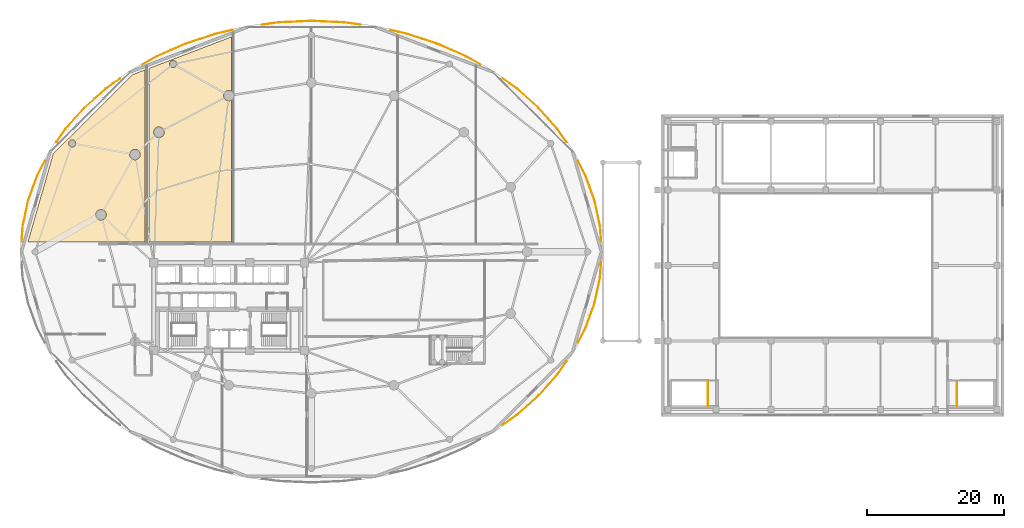
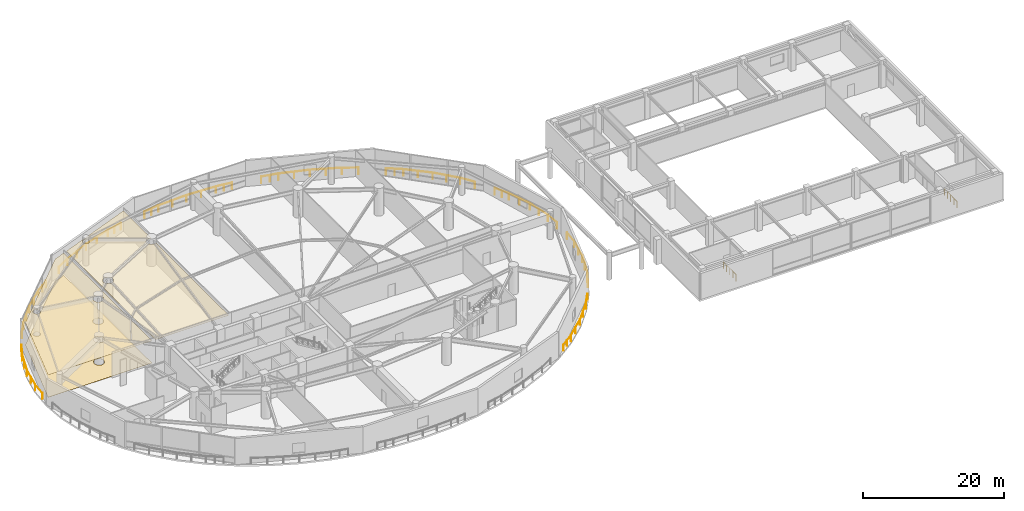
# One storey, part 36 of 36: 11 railings, 3 coverings.
"""IFC4 building model written with IfcOpenShell, lengths in metres."""

from ifc_helpers import new_model, si_unit, direction, frame, origin, origin_2d, place, context, subcontext, project, spatial, polyline, rectangle, outline, extrude, material, layer, layer_set, type_object, element, save


model = new_model("IFC4")

# Units and contexts
model_context = context("Model", 3, precision=1e-05, world=origin(), true_north=direction((0.0, 1.0)))
body_context = subcontext(model_context, "Body", "Model", "MODEL_VIEW")
ifc_project = project(units=[si_unit("LENGTHUNIT", "METRE"), si_unit("AREAUNIT", "SQUARE_METRE"), si_unit("VOLUMEUNIT", "CUBIC_METRE"), si_unit("PLANEANGLEUNIT", "RADIAN"), si_unit("MASSUNIT", "GRAM", prefix="KILO")], contexts=[model_context])

# Site, building, storey
site_placement = place(None, origin())
site = spatial("IfcSite", under=ifc_project, at=site_placement, CompositionType="ELEMENT")
building_placement = place(site_placement, origin())
building = spatial("IfcBuilding", under=site, at=building_placement, Name="Kazevale Care Tower and Concert Hall", CompositionType="ELEMENT")
storey_placement = place(building_placement, frame((0.0, 0.0, 14.39990234375)))
storey = spatial("IfcBuildingStorey", under=building, at=storey_placement, Name="L03", CompositionType="ELEMENT", Elevation=14.39990234375)

# Coverings
ifc_material_1 = material(Name="Acoustic Plaster and Hinoki Wood", Category="wood")
ifc_layer_1 = layer(ifc_material_1, 0.0400390625)
ifc_layer_set_1 = layer_set([ifc_layer_1], Name="Acoustic Plaster and Hinoki Wood")
covering_type_1 = type_object("IfcCoveringType", Name="Acoustic Perforated Wood-Gypsum Ceiling", PredefinedType="CEILING", material=ifc_layer_set_1)
covering_1_placement = place(storey_placement, frame((0.0, 0.0, 3.8701171875)))
element("IfcCovering", 1, at=covering_1_placement, inside=storey, type_object=covering_type_1, Name="clg:L03:1", PredefinedType="CEILING", context=body_context, shape_type="SweptSolid", body=[
    extrude(outline(polyline([(3.64404296875, 39.405029296875), (7.35205078125, 52.306884765625), (18.9169921875, 63.824951171875), (20.719970703125, 64.514892578125), (20.719970703125, 39.405029296875), (3.64404296875, 39.405029296875)]), holes=[polyline([(19.9189453125, 52.613037109375), (19.702880859375, 52.8291015625), (19.422119140625, 52.945068359375), (19.117919921875, 52.945068359375), (18.8369140625, 52.8291015625), (18.62109375, 52.613037109375), (18.5048828125, 52.33203125), (18.5048828125, 52.028076171875), (18.62109375, 51.7470703125), (18.8369140625, 51.531005859375), (19.117919921875, 51.4150390625), (19.422119140625, 51.4150390625), (19.702880859375, 51.531005859375), (19.9189453125, 51.7470703125), (20.034912109375, 52.028076171875), (20.034912109375, 52.33203125), (19.9189453125, 52.613037109375)]), polyline([(15.031005859375, 43.677978515625), (14.862060546875, 43.931884765625), (14.60791015625, 44.10107421875), (14.31005859375, 44.159912109375), (14.011962890625, 44.10107421875), (13.758056640625, 43.931884765625), (13.589111328125, 43.677978515625), (13.530029296875, 43.3798828125), (13.589111328125, 43.08203125), (13.758056640625, 42.827880859375), (14.011962890625, 42.658935546875), (14.31005859375, 42.60009765625), (14.60791015625, 42.658935546875), (14.862060546875, 42.827880859375), (15.031005859375, 43.08203125), (15.090087890625, 43.3798828125), (15.031005859375, 43.677978515625)]), polyline([(10.6201171875, 53.903076171875), (10.541015625, 54.093994140625), (10.39404296875, 54.240966796875), (10.202880859375, 54.320068359375), (9.9970703125, 54.320068359375), (9.805908203125, 54.240966796875), (9.658935546875, 54.093994140625), (9.580078125, 53.903076171875), (9.580078125, 53.697021484375), (9.658935546875, 53.506103515625), (9.805908203125, 53.35888671875), (9.9970703125, 53.280029296875), (10.202880859375, 53.280029296875), (10.39404296875, 53.35888671875), (10.541015625, 53.506103515625), (10.6201171875, 53.697021484375), (10.6201171875, 53.903076171875)])]), origin(), (0.0, 0.0, 1.0), 0.0400390625),
])
covering_2_placement = place(storey_placement, frame((0.0, 0.0, 3.8701171875)))
element("IfcCovering", 2, at=covering_2_placement, inside=storey, type_object=covering_type_1, Name="clg:L03:2", PredefinedType="CEILING", context=body_context, shape_type="SweptSolid", body=[
    extrude(outline(polyline([(33.320068359375, 61.4580078125), (32.9599609375, 61.550048828125), (32.527099609375, 61.4189453125), (32.239013671875, 61.068115234375), (32.179931640625, 60.77001953125), (32.239013671875, 60.471923828125), (32.527099609375, 60.12109375), (32.9599609375, 59.989990234375), (33.320068359375, 60.08203125), (33.320068359375, 39.405029296875), (21.280029296875, 39.405029296875), (21.280029296875, 64.72900390625), (33.320068359375, 69.333984375), (33.320068359375, 61.4580078125)]), holes=[polyline([(23.48095703125, 55.72802734375), (23.31201171875, 55.98193359375), (23.05810546875, 56.15087890625), (22.760009765625, 56.2099609375), (22.4619140625, 56.15087890625), (22.2080078125, 55.98193359375), (22.0390625, 55.72802734375), (21.97998046875, 55.429931640625), (22.0390625, 55.132080078125), (22.2080078125, 54.8779296875), (22.4619140625, 54.708984375), (22.760009765625, 54.64990234375), (23.05810546875, 54.708984375), (23.31201171875, 54.8779296875), (23.48095703125, 55.132080078125), (23.5400390625, 55.429931640625), (23.48095703125, 55.72802734375)]), polyline([(25.3701171875, 65.472900390625), (25.291015625, 65.6640625), (25.14404296875, 65.81103515625), (24.952880859375, 65.889892578125), (24.7470703125, 65.889892578125), (24.555908203125, 65.81103515625), (24.408935546875, 65.6640625), (24.330078125, 65.472900390625), (24.330078125, 65.26708984375), (24.408935546875, 65.075927734375), (24.555908203125, 64.928955078125), (24.7470703125, 64.85009765625), (24.952880859375, 64.85009765625), (25.14404296875, 64.928955078125), (25.291015625, 65.075927734375), (25.3701171875, 65.26708984375), (25.3701171875, 65.472900390625)])]), origin(), (0.0, 0.0, 1.0), 0.0400390625),
])

# Railings
ifc_material_2 = material(Name="Anodised Bronze Aluminium and Laminated Glass", Category="aluminium")
railing_type_1 = type_object("IfcRailingType", Name="Balcony and Terrace Balustrade 1120", PredefinedType="BALUSTRADE", material=ifc_material_2)
railing_1_placement = place(storey_placement, frame((2.742919921875, 39.4560546875, 0.0)))
element("IfcRailing", 3, at=railing_1_placement, inside=storey, type_object=railing_type_1, Name="rail:L03:perim:2", PredefinedType="BALUSTRADE", context=body_context, shape_type="SweptSolid", body=[
    extrude(rectangle(XDim=0.048095703125, YDim=0.048095703125, at=origin_2d()), frame((0.0, 0.0, 1.09619140625), z_axis=(0.070459951237, 0.997514609052, 0.0), x_axis=(-0.997514609052, 0.070459951237, 0.0)), (0.0, 0.0, 1.0), 2.314697265625),
    extrude(rectangle(XDim=0.048095703125, YDim=0.048095703125, at=origin_2d()), frame((0.1630859375, 2.308837890625, 1.09619140625), z_axis=(0.20907738305, 0.977899099037, 0.0), x_axis=(-0.977899099037, 0.20907738305, 0.0)), (0.0, 0.0, 1.0), 3.802001953125),
    extrude(rectangle(XDim=0.048095703125, YDim=0.048095703125, at=origin_2d()), frame((0.9580078125, 6.02685546875, 1.09619140625), z_axis=(0.340410185576, 0.940277036599, 0.0), x_axis=(-0.940277036599, 0.340410185576, 0.0)), (0.0, 0.0, 1.0), 3.854248046875),
    extrude(rectangle(XDim=0.048095703125, YDim=0.048095703125, at=origin_2d()), frame((2.27001953125, 9.65087890625, 1.09619140625), z_axis=(0.462140207553, 0.88680687219, 0.0), x_axis=(-0.88680687219, 0.462140207553, 0.0)), (0.0, 0.0, 1.0), 2.43017578125),
    extrude(rectangle(XDim=0.0419921875, YDim=0.0419921875, at=origin_2d()), origin(), (0.0, 0.0, 1.0), 1.072021484375),
    extrude(rectangle(XDim=0.0419921875, YDim=0.0419921875, at=origin_2d()), frame((0.1630859375, 2.308837890625, 0.0)), (0.0, 0.0, 1.0), 1.072021484375),
    extrude(rectangle(XDim=0.0419921875, YDim=0.0419921875, at=origin_2d()), frame((0.560546875, 4.16796875, 0.0)), (0.0, 0.0, 1.0), 1.072021484375),
    extrude(rectangle(XDim=0.0419921875, YDim=0.0419921875, at=origin_2d()), frame((0.9580078125, 6.02685546875, 0.0)), (0.0, 0.0, 1.0), 1.072021484375),
    extrude(rectangle(XDim=0.0419921875, YDim=0.0419921875, at=origin_2d()), frame((1.614013671875, 7.8388671875, 0.0)), (0.0, 0.0, 1.0), 1.072021484375),
    extrude(rectangle(XDim=0.0419921875, YDim=0.0419921875, at=origin_2d()), frame((2.27001953125, 9.65087890625, 0.0)), (0.0, 0.0, 1.0), 1.072021484375),
    extrude(rectangle(XDim=0.0419921875, YDim=0.0419921875, at=origin_2d()), frame((2.83154296875, 10.728515625, 0.0)), (0.0, 0.0, 1.0), 1.072021484375),
    extrude(rectangle(XDim=0.0419921875, YDim=0.0419921875, at=origin_2d()), frame((3.39306640625, 11.805908203125, 0.0)), (0.0, 0.0, 1.0), 1.072021484375),
])
railing_2_placement = place(storey_placement, frame((7.81201171875, 54.008056640625, 0.0)))
element("IfcRailing", 4, at=railing_2_placement, inside=storey, type_object=railing_type_1, Name="rail:L03:perim:3", PredefinedType="BALUSTRADE", context=body_context, shape_type="SweptSolid", body=[
    extrude(rectangle(XDim=0.048095703125, YDim=0.048095703125, at=origin_2d()), frame((0.0, 0.0, 1.09619140625), z_axis=(0.570672394322, 0.821177823835, 0.0), x_axis=(-0.821177823835, 0.570672394322, 0.0)), (0.0, 0.0, 1.0), 2.299072265625),
    extrude(rectangle(XDim=0.048095703125, YDim=0.048095703125, at=origin_2d()), frame((1.31201171875, 1.887939453125, 1.09619140625), z_axis=(0.665728837253, 0.746193751816, 0.0), x_axis=(-0.746193751816, 0.665728837253, 0.0)), (0.0, 0.0, 1.0), 4.12646484375),
    extrude(rectangle(XDim=0.048095703125, YDim=0.048095703125, at=origin_2d()), frame((4.05908203125, 4.967041015625, 1.09619140625), z_axis=(0.746983011463, 0.664843124794, 0.0), x_axis=(-0.664843124794, 0.746983011463, 0.0)), (0.0, 0.0, 1.0), 4.2353515625),
    extrude(rectangle(XDim=0.048095703125, YDim=0.048095703125, at=origin_2d()), frame((7.222900390625, 7.782958984375, 1.09619140625), z_axis=(0.815188786096, 0.579195340989, 0.0), x_axis=(-0.579195340989, 0.815188786096, 0.0)), (0.0, 0.0, 1.0), 2.53466796875),
    extrude(rectangle(XDim=0.0419921875, YDim=0.0419921875, at=origin_2d()), origin(), (0.0, 0.0, 1.0), 1.072021484375),
    extrude(rectangle(XDim=0.0419921875, YDim=0.0419921875, at=origin_2d()), frame((1.31201171875, 1.887939453125, 0.0)), (0.0, 0.0, 1.0), 1.072021484375),
    extrude(rectangle(XDim=0.0419921875, YDim=0.0419921875, at=origin_2d()), frame((2.685546875, 3.427490234375, 0.0)), (0.0, 0.0, 1.0), 1.072021484375),
    extrude(rectangle(XDim=0.0419921875, YDim=0.0419921875, at=origin_2d()), frame((4.05908203125, 4.967041015625, 0.0)), (0.0, 0.0, 1.0), 1.072021484375),
    extrude(rectangle(XDim=0.0419921875, YDim=0.0419921875, at=origin_2d()), frame((5.64111328125, 6.375, 0.0)), (0.0, 0.0, 1.0), 1.072021484375),
    extrude(rectangle(XDim=0.0419921875, YDim=0.0419921875, at=origin_2d()), frame((7.222900390625, 7.782958984375, 0.0)), (0.0, 0.0, 1.0), 1.072021484375),
    extrude(rectangle(XDim=0.0419921875, YDim=0.0419921875, at=origin_2d()), frame((8.255859375, 8.51708984375, 0.0)), (0.0, 0.0, 1.0), 1.072021484375),
    extrude(rectangle(XDim=0.0419921875, YDim=0.0419921875, at=origin_2d()), frame((9.2890625, 9.2509765625, 0.0)), (0.0, 0.0, 1.0), 1.072021484375),
])
railing_3_placement = place(storey_placement, frame((20.388916015625, 65.330078125, 0.0)))
element("IfcRailing", 5, at=railing_3_placement, inside=storey, type_object=railing_type_1, Name="rail:L03:perim:6", PredefinedType="BALUSTRADE", context=body_context, shape_type="SweptSolid", body=[
    extrude(rectangle(XDim=0.048095703125, YDim=0.048095703125, at=origin_2d()), frame((0.0, 0.0, 1.09619140625), z_axis=(0.870864175029, 0.491523741696, 0.0), x_axis=(-0.491523741696, 0.870864175029, 0.0)), (0.0, 0.0, 1.0), 2.36767578125),
    extrude(rectangle(XDim=0.048095703125, YDim=0.048095703125, at=origin_2d()), frame((2.06201171875, 1.163818359375, 1.09619140625), z_axis=(0.915470269762, 0.402385617514, 0.0), x_axis=(-0.402385617514, 0.915470269762, 0.0)), (0.0, 0.0, 1.0), 4.543212890625),
    extrude(rectangle(XDim=0.048095703125, YDim=0.048095703125, at=origin_2d()), frame((6.22119140625, 2.991943359375, 1.09619140625), z_axis=(0.949817857606, 0.312803512405, 0.0), x_axis=(-0.312803512405, 0.949817857606, 0.0)), (0.0, 0.0, 1.0), 4.622802734375),
    extrude(rectangle(XDim=0.048095703125, YDim=0.048095703125, at=origin_2d()), frame((10.612060546875, 4.43798828125, 1.09619140625), z_axis=(0.974740171393, 0.223341886518, 0.0), x_axis=(-0.223341886518, 0.974740171393, 0.0)), (0.0, 0.0, 1.0), 2.538330078125),
    extrude(rectangle(XDim=0.0419921875, YDim=0.0419921875, at=origin_2d()), origin(), (0.0, 0.0, 1.0), 1.072021484375),
    extrude(rectangle(XDim=0.0419921875, YDim=0.0419921875, at=origin_2d()), frame((2.06201171875, 1.163818359375, 0.0)), (0.0, 0.0, 1.0), 1.072021484375),
    extrude(rectangle(XDim=0.0419921875, YDim=0.0419921875, at=origin_2d()), frame((4.1416015625, 2.077880859375, 0.0)), (0.0, 0.0, 1.0), 1.072021484375),
    extrude(rectangle(XDim=0.0419921875, YDim=0.0419921875, at=origin_2d()), frame((6.22119140625, 2.991943359375, 0.0)), (0.0, 0.0, 1.0), 1.072021484375),
    extrude(rectangle(XDim=0.0419921875, YDim=0.0419921875, at=origin_2d()), frame((8.41650390625, 3.71484375, 0.0)), (0.0, 0.0, 1.0), 1.072021484375),
    extrude(rectangle(XDim=0.0419921875, YDim=0.0419921875, at=origin_2d()), frame((10.612060546875, 4.43798828125, 0.0)), (0.0, 0.0, 1.0), 1.072021484375),
    extrude(rectangle(XDim=0.0419921875, YDim=0.0419921875, at=origin_2d()), frame((11.84912109375, 4.721435546875, 0.0)), (0.0, 0.0, 1.0), 1.072021484375),
    extrude(rectangle(XDim=0.0419921875, YDim=0.0419921875, at=origin_2d()), frame((13.086181640625, 5.0048828125, 0.0)), (0.0, 0.0, 1.0), 1.072021484375),
])
railing_4_placement = place(storey_placement, frame((37.81201171875, 71.117919921875, 0.0)))
element("IfcRailing", 6, at=railing_4_placement, inside=storey, type_object=railing_type_1, Name="rail:L03:perim:7", PredefinedType="BALUSTRADE", context=body_context, shape_type="SweptSolid", body=[
    extrude(rectangle(XDim=0.048095703125, YDim=0.048095703125, at=origin_2d()), frame((0.0, 0.0, 1.09619140625), z_axis=(0.990987454457, 0.1339547129, 0.0), x_axis=(-0.1339547129, 0.990987454457, 0.0)), (0.0, 0.0, 1.0), 2.464111328125),
    extrude(rectangle(XDim=0.048095703125, YDim=0.048095703125, at=origin_2d()), frame((2.44189453125, 0.330078125, 1.09619140625), z_axis=(0.999004667567, 0.044605763963, 0.0), x_axis=(-0.044605763963, 0.999004667567, 0.0)), (0.0, 0.0, 1.0), 4.750732421875),
    extrude(rectangle(XDim=0.048095703125, YDim=0.048095703125, at=origin_2d()), frame((7.18798828125, 0.5419921875, 1.09619140625), z_axis=(0.999004667567, -0.044605763963, 0.0), x_axis=(0.044605763963, 0.999004667567, 0.0)), (0.0, 0.0, 1.0), 4.750732421875),
    extrude(rectangle(XDim=0.048095703125, YDim=0.048095703125, at=origin_2d()), frame((11.93408203125, 0.330078125, 1.09619140625), z_axis=(0.990987454457, -0.1339547129, 0.0), x_axis=(0.1339547129, 0.990987454457, 0.0)), (0.0, 0.0, 1.0), 2.464111328125),
    extrude(rectangle(XDim=0.0419921875, YDim=0.0419921875, at=origin_2d()), origin(), (0.0, 0.0, 1.0), 1.072021484375),
    extrude(rectangle(XDim=0.0419921875, YDim=0.0419921875, at=origin_2d()), frame((1.220947265625, 0.1650390625, 0.0)), (0.0, 0.0, 1.0), 1.072021484375),
    extrude(rectangle(XDim=0.0419921875, YDim=0.0419921875, at=origin_2d()), frame((2.44189453125, 0.330078125, 0.0)), (0.0, 0.0, 1.0), 1.072021484375),
    extrude(rectangle(XDim=0.0419921875, YDim=0.0419921875, at=origin_2d()), frame((4.81494140625, 0.43603515625, 0.0)), (0.0, 0.0, 1.0), 1.072021484375),
    extrude(rectangle(XDim=0.0419921875, YDim=0.0419921875, at=origin_2d()), frame((7.18798828125, 0.5419921875, 0.0)), (0.0, 0.0, 1.0), 1.072021484375),
    extrude(rectangle(XDim=0.0419921875, YDim=0.0419921875, at=origin_2d()), frame((9.56103515625, 0.43603515625, 0.0)), (0.0, 0.0, 1.0), 1.072021484375),
    extrude(rectangle(XDim=0.0419921875, YDim=0.0419921875, at=origin_2d()), frame((11.93408203125, 0.330078125, 0.0)), (0.0, 0.0, 1.0), 1.072021484375),
    extrude(rectangle(XDim=0.0419921875, YDim=0.0419921875, at=origin_2d()), frame((13.155029296875, 0.1650390625, 0.0)), (0.0, 0.0, 1.0), 1.072021484375),
    extrude(rectangle(XDim=0.0419921875, YDim=0.0419921875, at=origin_2d()), frame((14.3759765625, 0.0, 0.0)), (0.0, 0.0, 1.0), 1.072021484375),
])
railing_5_placement = place(storey_placement, frame((56.52490234375, 70.3349609375, 0.0)))
element("IfcRailing", 7, at=railing_5_placement, inside=storey, type_object=railing_type_1, Name="rail:L03:perim:10", PredefinedType="BALUSTRADE", context=body_context, shape_type="SweptSolid", body=[
    extrude(rectangle(XDim=0.048095703125, YDim=0.048095703125, at=origin_2d()), frame((0.0, 0.0, 1.09619140625), z_axis=(0.974740171393, -0.223341886518, 0.0), x_axis=(0.223341886518, 0.974740171393, 0.0)), (0.0, 0.0, 1.0), 2.538330078125),
    extrude(rectangle(XDim=0.048095703125, YDim=0.048095703125, at=origin_2d()), frame((2.47412109375, -0.56689453125, 1.09619140625), z_axis=(0.949817857606, -0.312803512405, 0.0), x_axis=(0.312803512405, 0.949817857606, 0.0)), (0.0, 0.0, 1.0), 4.622802734375),
    extrude(rectangle(XDim=0.048095703125, YDim=0.048095703125, at=origin_2d()), frame((6.864990234375, -2.012939453125, 1.09619140625), z_axis=(0.915470269762, -0.402385617514, 0.0), x_axis=(0.402385617514, 0.915470269762, 0.0)), (0.0, 0.0, 1.0), 4.543212890625),
    extrude(rectangle(XDim=0.048095703125, YDim=0.048095703125, at=origin_2d()), frame((11.024169921875, -3.841064453125, 1.09619140625), z_axis=(0.870864175029, -0.491523741696, 0.0), x_axis=(0.491523741696, 0.870864175029, 0.0)), (0.0, 0.0, 1.0), 2.36767578125),
    extrude(rectangle(XDim=0.0419921875, YDim=0.0419921875, at=origin_2d()), origin(), (0.0, 0.0, 1.0), 1.072021484375),
    extrude(rectangle(XDim=0.0419921875, YDim=0.0419921875, at=origin_2d()), frame((1.237060546875, -0.283447265625, 0.0)), (0.0, 0.0, 1.0), 1.072021484375),
    extrude(rectangle(XDim=0.0419921875, YDim=0.0419921875, at=origin_2d()), frame((2.47412109375, -0.56689453125, 0.0)), (0.0, 0.0, 1.0), 1.072021484375),
    extrude(rectangle(XDim=0.0419921875, YDim=0.0419921875, at=origin_2d()), frame((4.66943359375, -1.2900390625, 0.0)), (0.0, 0.0, 1.0), 1.072021484375),
    extrude(rectangle(XDim=0.0419921875, YDim=0.0419921875, at=origin_2d()), frame((6.864990234375, -2.012939453125, 0.0)), (0.0, 0.0, 1.0), 1.072021484375),
    extrude(rectangle(XDim=0.0419921875, YDim=0.0419921875, at=origin_2d()), frame((8.944580078125, -2.927001953125, 0.0)), (0.0, 0.0, 1.0), 1.072021484375),
    extrude(rectangle(XDim=0.0419921875, YDim=0.0419921875, at=origin_2d()), frame((11.024169921875, -3.841064453125, 0.0)), (0.0, 0.0, 1.0), 1.072021484375),
    extrude(rectangle(XDim=0.0419921875, YDim=0.0419921875, at=origin_2d()), frame((13.086181640625, -5.0048828125, 0.0)), (0.0, 0.0, 1.0), 1.072021484375),
])
railing_6_placement = place(storey_placement, frame((82.18798828125, 21.991943359375, 0.0)))
element("IfcRailing", 8, at=railing_6_placement, inside=storey, type_object=railing_type_1, Name="rail:L03:perim:11", PredefinedType="BALUSTRADE", context=body_context, shape_type="SweptSolid", body=[
    extrude(rectangle(XDim=0.048095703125, YDim=0.048095703125, at=origin_2d()), frame((0.0, 0.0, 1.09619140625), z_axis=(-0.570672394322, -0.821177823835, 0.0), x_axis=(0.821177823835, -0.570672394322, 0.0)), (0.0, 0.0, 1.0), 2.299072265625),
    extrude(rectangle(XDim=0.048095703125, YDim=0.048095703125, at=origin_2d()), frame((-1.31201171875, -1.887939453125, 1.09619140625), z_axis=(-0.665728837253, -0.746193751816, 0.0), x_axis=(0.746193751816, -0.665728837253, 0.0)), (0.0, 0.0, 1.0), 4.12646484375),
    extrude(rectangle(XDim=0.048095703125, YDim=0.048095703125, at=origin_2d()), frame((-4.05908203125, -4.967041015625, 1.09619140625), z_axis=(-0.746983011463, -0.664843124794, 0.0), x_axis=(0.664843124794, -0.746983011463, 0.0)), (0.0, 0.0, 1.0), 4.2353515625),
    extrude(rectangle(XDim=0.048095703125, YDim=0.048095703125, at=origin_2d()), frame((-7.222900390625, -7.782958984375, 1.09619140625), z_axis=(-0.815188786096, -0.579195340989, 0.0), x_axis=(0.579195340989, -0.815188786096, 0.0)), (0.0, 0.0, 1.0), 2.53466796875),
    extrude(rectangle(XDim=0.0419921875, YDim=0.0419921875, at=origin_2d()), origin(), (0.0, 0.0, 1.0), 1.072021484375),
    extrude(rectangle(XDim=0.0419921875, YDim=0.0419921875, at=origin_2d()), frame((-1.31201171875, -1.887939453125, 0.0)), (0.0, 0.0, 1.0), 1.072021484375),
    extrude(rectangle(XDim=0.0419921875, YDim=0.0419921875, at=origin_2d()), frame((-2.685546875, -3.427490234375, 0.0)), (0.0, 0.0, 1.0), 1.072021484375),
    extrude(rectangle(XDim=0.0419921875, YDim=0.0419921875, at=origin_2d()), frame((-4.05908203125, -4.967041015625, 0.0)), (0.0, 0.0, 1.0), 1.072021484375),
    extrude(rectangle(XDim=0.0419921875, YDim=0.0419921875, at=origin_2d()), frame((-5.64111328125, -6.375, 0.0)), (0.0, 0.0, 1.0), 1.072021484375),
    extrude(rectangle(XDim=0.0419921875, YDim=0.0419921875, at=origin_2d()), frame((-7.222900390625, -7.782958984375, 0.0)), (0.0, 0.0, 1.0), 1.072021484375),
    extrude(rectangle(XDim=0.0419921875, YDim=0.0419921875, at=origin_2d()), frame((-8.255859375, -8.51708984375, 0.0)), (0.0, 0.0, 1.0), 1.072021484375),
    extrude(rectangle(XDim=0.0419921875, YDim=0.0419921875, at=origin_2d()), frame((-9.2890625, -9.2509765625, 0.0)), (0.0, 0.0, 1.0), 1.072021484375),
])
railing_7_placement = place(storey_placement, frame((72.89892578125, 63.259033203125, 0.0)))
element("IfcRailing", 9, at=railing_7_placement, inside=storey, type_object=railing_type_1, Name="rail:L03:perim:12", PredefinedType="BALUSTRADE", context=body_context, shape_type="SweptSolid", body=[
    extrude(rectangle(XDim=0.048095703125, YDim=0.048095703125, at=origin_2d()), frame((0.0, 0.0, 1.09619140625), z_axis=(0.815188786096, -0.579195340989, 0.0), x_axis=(0.579195340989, 0.815188786096, 0.0)), (0.0, 0.0, 1.0), 2.53466796875),
    extrude(rectangle(XDim=0.048095703125, YDim=0.048095703125, at=origin_2d()), frame((2.066162109375, -1.468017578125, 1.09619140625), z_axis=(0.746983011463, -0.664843124794, 0.0), x_axis=(0.664843124794, 0.746983011463, 0.0)), (0.0, 0.0, 1.0), 4.2353515625),
    extrude(rectangle(XDim=0.048095703125, YDim=0.048095703125, at=origin_2d()), frame((5.22998046875, -4.283935546875, 1.09619140625), z_axis=(0.665728837253, -0.746193751816, 0.0), x_axis=(0.746193751816, 0.665728837253, 0.0)), (0.0, 0.0, 1.0), 4.12646484375),
    extrude(rectangle(XDim=0.048095703125, YDim=0.048095703125, at=origin_2d()), frame((7.97705078125, -7.363037109375, 1.09619140625), z_axis=(0.570672394322, -0.821177823835, 0.0), x_axis=(0.821177823835, 0.570672394322, 0.0)), (0.0, 0.0, 1.0), 2.299072265625),
    extrude(rectangle(XDim=0.0419921875, YDim=0.0419921875, at=origin_2d()), origin(), (0.0, 0.0, 1.0), 1.072021484375),
    extrude(rectangle(XDim=0.0419921875, YDim=0.0419921875, at=origin_2d()), frame((1.033203125, -0.73388671875, 0.0)), (0.0, 0.0, 1.0), 1.072021484375),
    extrude(rectangle(XDim=0.0419921875, YDim=0.0419921875, at=origin_2d()), frame((2.066162109375, -1.468017578125, 0.0)), (0.0, 0.0, 1.0), 1.072021484375),
    extrude(rectangle(XDim=0.0419921875, YDim=0.0419921875, at=origin_2d()), frame((3.64794921875, -2.8759765625, 0.0)), (0.0, 0.0, 1.0), 1.072021484375),
    extrude(rectangle(XDim=0.0419921875, YDim=0.0419921875, at=origin_2d()), frame((5.22998046875, -4.283935546875, 0.0)), (0.0, 0.0, 1.0), 1.072021484375),
    extrude(rectangle(XDim=0.0419921875, YDim=0.0419921875, at=origin_2d()), frame((6.603515625, -5.823486328125, 0.0)), (0.0, 0.0, 1.0), 1.072021484375),
    extrude(rectangle(XDim=0.0419921875, YDim=0.0419921875, at=origin_2d()), frame((7.97705078125, -7.363037109375, 0.0)), (0.0, 0.0, 1.0), 1.072021484375),
    extrude(rectangle(XDim=0.0419921875, YDim=0.0419921875, at=origin_2d()), frame((9.2890625, -9.2509765625, 0.0)), (0.0, 0.0, 1.0), 1.072021484375),
])
railing_8_placement = place(storey_placement, frame((83.864013671875, 51.261962890625, 0.0)))
element("IfcRailing", 10, at=railing_8_placement, inside=storey, type_object=railing_type_1, Name="rail:L03:perim:13", PredefinedType="BALUSTRADE", context=body_context, shape_type="SweptSolid", body=[
    extrude(rectangle(XDim=0.048095703125, YDim=0.048095703125, at=origin_2d()), frame((0.0, 0.0, 1.09619140625), z_axis=(0.462140207553, -0.88680687219, 0.0), x_axis=(0.88680687219, 0.462140207553, 0.0)), (0.0, 0.0, 1.0), 2.43017578125),
    extrude(rectangle(XDim=0.048095703125, YDim=0.048095703125, at=origin_2d()), frame((1.123046875, -2.155029296875, 1.09619140625), z_axis=(0.340410185576, -0.940277036599, 0.0), x_axis=(0.940277036599, 0.340410185576, 0.0)), (0.0, 0.0, 1.0), 3.854248046875),
    extrude(rectangle(XDim=0.048095703125, YDim=0.048095703125, at=origin_2d()), frame((2.43505859375, -5.779052734375, 1.09619140625), z_axis=(0.20907738305, -0.977899099037, 0.0), x_axis=(0.977899099037, 0.20907738305, 0.0)), (0.0, 0.0, 1.0), 3.802001953125),
    extrude(rectangle(XDim=0.048095703125, YDim=0.048095703125, at=origin_2d()), frame((3.22998046875, -9.4970703125, 1.09619140625), z_axis=(0.070459951237, -0.997514609052, 0.0), x_axis=(0.997514609052, 0.070459951237, 0.0)), (0.0, 0.0, 1.0), 2.314697265625),
    extrude(rectangle(XDim=0.0419921875, YDim=0.0419921875, at=origin_2d()), origin(), (0.0, 0.0, 1.0), 1.072021484375),
    extrude(rectangle(XDim=0.0419921875, YDim=0.0419921875, at=origin_2d()), frame((0.5615234375, -1.07763671875, 0.0)), (0.0, 0.0, 1.0), 1.072021484375),
    extrude(rectangle(XDim=0.0419921875, YDim=0.0419921875, at=origin_2d()), frame((1.123046875, -2.155029296875, 0.0)), (0.0, 0.0, 1.0), 1.072021484375),
    extrude(rectangle(XDim=0.0419921875, YDim=0.0419921875, at=origin_2d()), frame((1.779052734375, -3.967041015625, 0.0)), (0.0, 0.0, 1.0), 1.072021484375),
    extrude(rectangle(XDim=0.0419921875, YDim=0.0419921875, at=origin_2d()), frame((2.43505859375, -5.779052734375, 0.0)), (0.0, 0.0, 1.0), 1.072021484375),
    extrude(rectangle(XDim=0.0419921875, YDim=0.0419921875, at=origin_2d()), frame((2.83251953125, -7.63818359375, 0.0)), (0.0, 0.0, 1.0), 1.072021484375),
    extrude(rectangle(XDim=0.0419921875, YDim=0.0419921875, at=origin_2d()), frame((3.22998046875, -9.4970703125, 0.0)), (0.0, 0.0, 1.0), 1.072021484375),
    extrude(rectangle(XDim=0.0419921875, YDim=0.0419921875, at=origin_2d()), frame((3.39306640625, -11.805908203125, 0.0)), (0.0, 0.0, 1.0), 1.072021484375),
])
railing_9_placement = place(storey_placement, frame((87.257080078125, 36.54296875, 0.0)))
element("IfcRailing", 11, at=railing_9_placement, inside=storey, type_object=railing_type_1, Name="rail:L03:perim:14", PredefinedType="BALUSTRADE", context=body_context, shape_type="SweptSolid", body=[
    extrude(rectangle(XDim=0.048095703125, YDim=0.048095703125, at=origin_2d()), frame((0.0, 0.0, 1.09619140625), z_axis=(-0.070489617977, -0.997512513083, 0.0), x_axis=(0.997512513083, -0.070489617977, 0.0)), (0.0, 0.0, 1.0), 2.313720703125),
    extrude(rectangle(XDim=0.048095703125, YDim=0.048095703125, at=origin_2d()), frame((-0.1630859375, -2.307861328125, 1.09619140625), z_axis=(-0.20907738305, -0.977899099037, 0.0), x_axis=(0.977899099037, -0.20907738305, 0.0)), (0.0, 0.0, 1.0), 3.802001953125),
    extrude(rectangle(XDim=0.048095703125, YDim=0.048095703125, at=origin_2d()), frame((-0.9580078125, -6.02587890625, 1.09619140625), z_axis=(-0.340410185576, -0.940277036599, 0.0), x_axis=(0.940277036599, -0.340410185576, 0.0)), (0.0, 0.0, 1.0), 3.854248046875),
    extrude(rectangle(XDim=0.048095703125, YDim=0.048095703125, at=origin_2d()), frame((-2.27001953125, -9.64990234375, 1.09619140625), z_axis=(-0.462140207553, -0.88680687219, 0.0), x_axis=(0.88680687219, -0.462140207553, 0.0)), (0.0, 0.0, 1.0), 2.43017578125),
    extrude(rectangle(XDim=0.0419921875, YDim=0.0419921875, at=origin_2d()), origin(), (0.0, 0.0, 1.0), 1.072021484375),
    extrude(rectangle(XDim=0.0419921875, YDim=0.0419921875, at=origin_2d()), frame((-0.1630859375, -2.307861328125, 0.0)), (0.0, 0.0, 1.0), 1.072021484375),
    extrude(rectangle(XDim=0.0419921875, YDim=0.0419921875, at=origin_2d()), frame((-0.560546875, -4.1669921875, 0.0)), (0.0, 0.0, 1.0), 1.072021484375),
    extrude(rectangle(XDim=0.0419921875, YDim=0.0419921875, at=origin_2d()), frame((-0.9580078125, -6.02587890625, 0.0)), (0.0, 0.0, 1.0), 1.072021484375),
    extrude(rectangle(XDim=0.0419921875, YDim=0.0419921875, at=origin_2d()), frame((-1.614013671875, -7.837890625, 0.0)), (0.0, 0.0, 1.0), 1.072021484375),
    extrude(rectangle(XDim=0.0419921875, YDim=0.0419921875, at=origin_2d()), frame((-2.27001953125, -9.64990234375, 0.0)), (0.0, 0.0, 1.0), 1.072021484375),
    extrude(rectangle(XDim=0.0419921875, YDim=0.0419921875, at=origin_2d()), frame((-2.83154296875, -10.7275390625, 0.0)), (0.0, 0.0, 1.0), 1.072021484375),
    extrude(rectangle(XDim=0.0419921875, YDim=0.0419921875, at=origin_2d()), frame((-3.39306640625, -11.804931640625, 0.0)), (0.0, 0.0, 1.0), 1.072021484375),
])

# Covering
ifc_material_3 = material(Name="Honed Ochre Limestone", Category="masonry")
ifc_layer_2 = layer(ifc_material_3, 0.02001953125)
ifc_layer_set_2 = layer_set([ifc_layer_2], Name="Honed Ochre Limestone")
covering_type_2 = type_object("IfcCoveringType", Name="Slip-Resistant Resilient Care Flooring", PredefinedType="FLOORING", material=ifc_layer_set_2)
covering_3_placement = place(storey_placement, origin())
element("IfcCovering", 12, at=covering_3_placement, inside=storey, type_object=covering_type_2, Name="flr:L03:1", PredefinedType="FLOORING", context=body_context, shape_type="SweptSolid", body=[
    extrude(outline(polyline([(3.64404296875, 39.405029296875), (7.35205078125, 52.306884765625), (18.9169921875, 63.824951171875), (20.719970703125, 64.514892578125), (20.719970703125, 39.405029296875), (3.64404296875, 39.405029296875)]), holes=[polyline([(19.9189453125, 52.613037109375), (19.702880859375, 52.8291015625), (19.422119140625, 52.945068359375), (19.117919921875, 52.945068359375), (18.8369140625, 52.8291015625), (18.62109375, 52.613037109375), (18.5048828125, 52.33203125), (18.5048828125, 52.028076171875), (18.62109375, 51.7470703125), (18.8369140625, 51.531005859375), (19.117919921875, 51.4150390625), (19.422119140625, 51.4150390625), (19.702880859375, 51.531005859375), (19.9189453125, 51.7470703125), (20.034912109375, 52.028076171875), (20.034912109375, 52.33203125), (19.9189453125, 52.613037109375)]), polyline([(15.031005859375, 43.677978515625), (14.862060546875, 43.931884765625), (14.60791015625, 44.10107421875), (14.31005859375, 44.159912109375), (14.011962890625, 44.10107421875), (13.758056640625, 43.931884765625), (13.589111328125, 43.677978515625), (13.530029296875, 43.3798828125), (13.589111328125, 43.08203125), (13.758056640625, 42.827880859375), (14.011962890625, 42.658935546875), (14.31005859375, 42.60009765625), (14.60791015625, 42.658935546875), (14.862060546875, 42.827880859375), (15.031005859375, 43.08203125), (15.090087890625, 43.3798828125), (15.031005859375, 43.677978515625)]), polyline([(10.6201171875, 53.903076171875), (10.541015625, 54.093994140625), (10.39404296875, 54.240966796875), (10.202880859375, 54.320068359375), (9.9970703125, 54.320068359375), (9.805908203125, 54.240966796875), (9.658935546875, 54.093994140625), (9.580078125, 53.903076171875), (9.580078125, 53.697021484375), (9.658935546875, 53.506103515625), (9.805908203125, 53.35888671875), (9.9970703125, 53.280029296875), (10.202880859375, 53.280029296875), (10.39404296875, 53.35888671875), (10.541015625, 53.506103515625), (10.6201171875, 53.697021484375), (10.6201171875, 53.903076171875)])]), origin(), (0.0, 0.0, 1.0), 0.02001953125),
])

# Railings
ifc_material_4 = material(Name="Stainless Steel 316", Category="steel")
railing_type_2 = type_object("IfcRailingType", Name="Stair Well Guard Balustrade 1120", PredefinedType="BALUSTRADE", material=ifc_material_4)
for number, where, name in (
    (13, (102.85009765625, 15.5, 0.0), "rail:L03:ST4:topwell"),
    (14, (139.14990234375, 15.5, 0.0), "rail:L03:ST5:topwell"),
):
    element("IfcRailing", number, at=place(storey_placement, frame(where)), inside=storey, type_object=railing_type_2, Name=name, PredefinedType="BALUSTRADE", context=body_context, shape_type="SweptSolid", body=[
        extrude(rectangle(XDim=0.048095703125, YDim=0.048095703125, at=origin_2d()), frame((0.0, 0.0, 1.1259765625), z_axis=(0.0, 1.0, 0.0), x_axis=(-1.0, 0.0, 0.0)), (0.0, 0.0, 1.0), 3.60009765625),
        extrude(rectangle(XDim=0.0419921875, YDim=0.0419921875, at=origin_2d()), origin(), (0.0, 0.0, 1.0), 1.101806640625),
        extrude(rectangle(XDim=0.0419921875, YDim=0.0419921875, at=origin_2d()), frame((0.0, 0.89990234375, 0.0)), (0.0, 0.0, 1.0), 1.101806640625),
        extrude(rectangle(XDim=0.0419921875, YDim=0.0419921875, at=origin_2d()), frame((0.0, 1.800048828125, 0.0)), (0.0, 0.0, 1.0), 1.101806640625),
        extrude(rectangle(XDim=0.0419921875, YDim=0.0419921875, at=origin_2d()), frame((0.0, 2.7001953125, 0.0)), (0.0, 0.0, 1.0), 1.101806640625),
        extrude(rectangle(XDim=0.0419921875, YDim=0.0419921875, at=origin_2d()), frame((0.0, 3.60009765625, 0.0)), (0.0, 0.0, 1.0), 1.101806640625),
    ])

save(model, "model.ifc")
